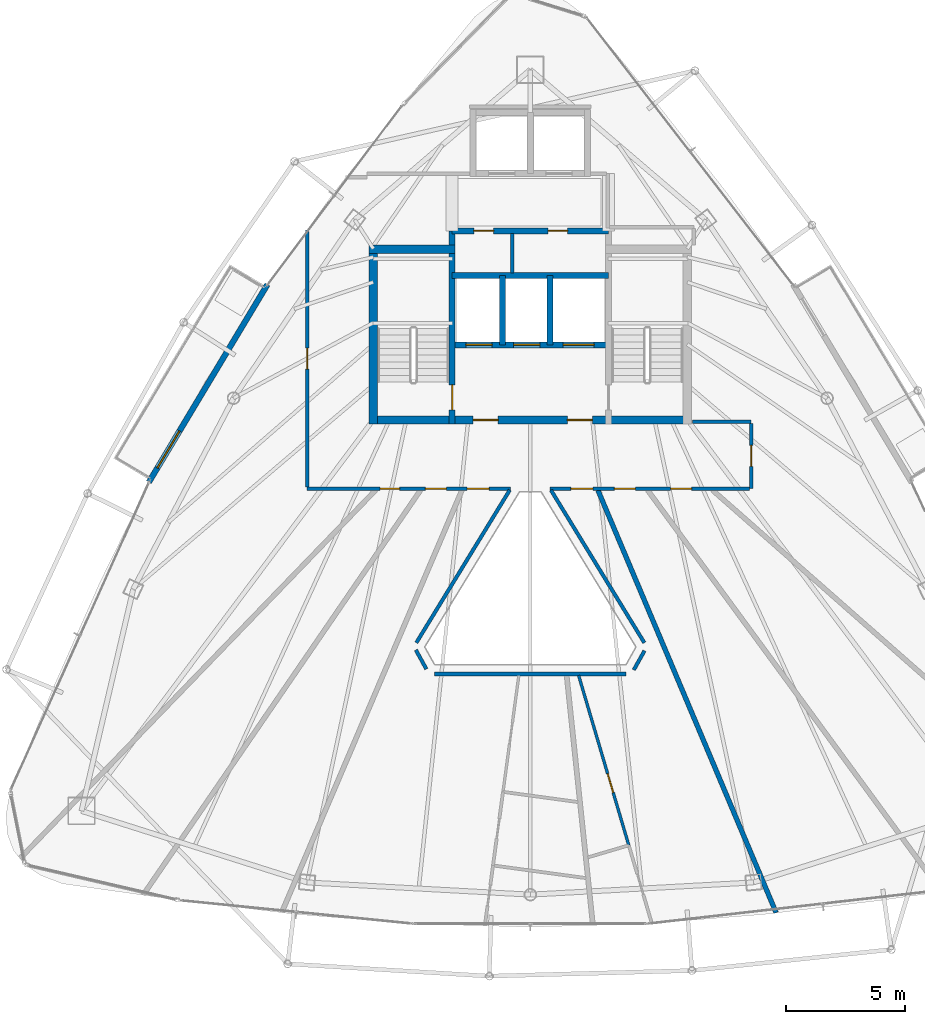
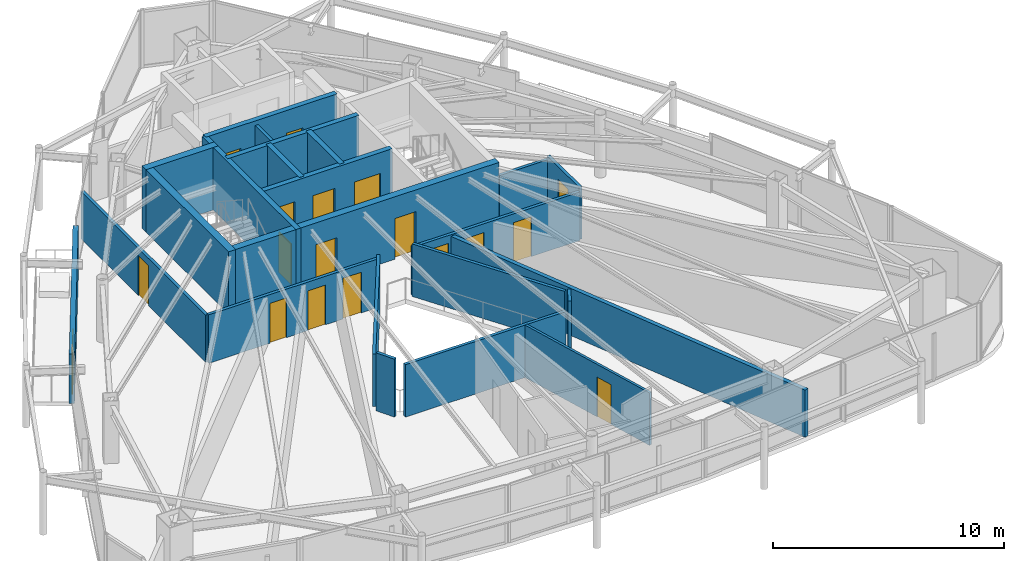
# One storey, part 25 of 28: 23 walls, 18 doors, 18 openings.
"""IFC4 building model written with IfcOpenShell, lengths in metres."""

from ifc_helpers import new_model, si_unit, direction, frame, frame_2d, origin, place, context, subcontext, project, spatial, rectangle, extrude, material, layer, layer_set, type_object, element, fill, save


model = new_model("IFC4")

# Units and contexts
model_context = context("Model", 3, precision=1e-05, world=origin(), true_north=direction((0.0, 1.0)))
body_context = subcontext(model_context, "Body", "Model", "MODEL_VIEW")
ifc_project = project(units=[si_unit("LENGTHUNIT", "METRE"), si_unit("AREAUNIT", "SQUARE_METRE"), si_unit("VOLUMEUNIT", "CUBIC_METRE"), si_unit("PLANEANGLEUNIT", "RADIAN"), si_unit("MASSUNIT", "GRAM", prefix="KILO")], contexts=[model_context])

# Site, building, storey
site_placement = place(None, origin())
site = spatial("IfcSite", under=ifc_project, at=site_placement, CompositionType="ELEMENT")
building_placement = place(site_placement, origin())
building = spatial("IfcBuilding", under=site, at=building_placement, Name="Orvanel Arch Residences", CompositionType="ELEMENT")
storey_placement = place(building_placement, frame((0.0, 0.0, 260.14990234375)))
storey = spatial("IfcBuildingStorey", under=building, at=storey_placement, Name="L74", CompositionType="ELEMENT", Elevation=260.14990234375)

# Wall, opening, door
ifc_material_1 = material(Name="Precast concrete N50 (50 MPa)", Category="concrete")
ifc_layer_1 = layer(ifc_material_1, 0.239990234375)
ifc_layer_set_1 = layer_set([ifc_layer_1], Name="Precast concrete N50 (50 MPa)")
wall_type_1 = type_object("IfcWallType", Name="EW-BAL-240", PredefinedType="SOLIDWALL", material=ifc_layer_set_1)
wall_1_placement = place(storey_placement, frame((21.988037109375, 32.405029296875, 0.0), z_axis=(0.0, 0.0, 1.0), x_axis=(-0.514361929684, -0.857573206958, 0.0)))
wall_1 = element("IfcWall", 1, at=wall_1_placement, inside=storey, type_object=wall_type_1, Name="L74 Balcony Threshold Wall Face 1", PredefinedType="SOLIDWALL", context=body_context, shape_type="SweptSolid", body=[
    extrude(rectangle(XDim=9.65869140625, YDim=0.239990234375, at=frame_2d((4.829345703125, 0.0))), origin(), (0.0, 0.0, 1.0), 2.6240234375),
])
opening_1_placement = place(wall_1_placement, frame((7.162109375, 0.0, 0.0)))
opening_1 = element("IfcOpeningElement", 2, at=opening_1_placement, cuts=wall_1, Name="Opening DB-180", PredefinedType="OPENING", context=body_context, shape_type="SweptSolid", body=[
    extrude(rectangle(XDim=1.800048828125, YDim=2.199951171875, at=frame_2d((0.89990234375, 1.10009765625))), frame((0.0, 0.1298828125, 0.0), z_axis=(0.0, -1.0, 0.0), x_axis=(1.0, 0.0, 0.0)), (0.0, 0.0, 1.0), 0.260009765625),
])
ifc_material_2 = material(Name="Bronze-anodised aluminium AA6063-T6", Category="aluminium")
door_type_1 = type_object("IfcDoorType", Name="DR-BAL-1800", OperationType="NOTDEFINED", PredefinedType="DOOR", material=ifc_material_2)
door_1_placement = place(opening_1_placement, origin())
door_1 = element("IfcDoor", 3, at=door_1_placement, inside=storey, type_object=door_type_1, Name="DR-L74-BAL-F1 L74 Planted Balcony Access Door Face 1", OperationType="SINGLE_SWING_LEFT", OverallHeight=2.199951171875, OverallWidth=1.800048828125, PredefinedType="DOOR", context=body_context, shape_type="SweptSolid", body=[
    extrude(rectangle(XDim=1.800048828125, YDim=2.199951171875, at=frame_2d((0.89990234375, 1.10009765625))), frame((0.0, 0.02490234375, 0.0), z_axis=(0.0, -1.0, 0.0), x_axis=(1.0, 0.0, 0.0)), (0.0, 0.0, 1.0), 0.050048828125),
])
fill(opening_1, door_1)

ifc_material_3 = material(Name="Concrete N50 (50 MPa)", Category="concrete")
ifc_layer_2 = layer(ifc_material_3, 0.25)
ifc_layer_set_2 = layer_set([ifc_layer_2], Name="Concrete N50 (50 MPa)")
wall_type_2 = type_object("IfcWallType", Name="SW-CORE-250", PredefinedType="SHEAR", material=ifc_layer_set_2)
wall_2_placement = place(storey_placement, frame((29.72509765625, 26.550048828125, 0.0), z_axis=(0.0, 0.0, 1.0), x_axis=(0.0, 1.0, 0.0)))
wall_2 = element("IfcWall", 4, at=wall_2_placement, inside=storey, type_object=wall_type_2, Name="L74 West Inner Core Spine Shear Wall", PredefinedType="SHEAR", context=body_context, shape_type="SweptSolid", body=[
    extrude(rectangle(XDim=8.099853515625, YDim=0.25, at=frame_2d((4.0498046875, 0.0))), origin(), (0.0, 0.0, 1.0), 3.300048828125),
])
opening_2_placement = place(wall_2_placement, frame((0.60009765625, 0.0, 0.0)))
opening_2 = element("IfcOpeningElement", 5, at=opening_2_placement, cuts=wall_2, Name="Opening DF-120", PredefinedType="OPENING", context=body_context, shape_type="SweptSolid", body=[
    extrude(rectangle(XDim=1.050048828125, YDim=2.14990234375, at=frame_2d((0.52490234375, 1.074951171875))), frame((0.0, 0.135009765625, 0.0), z_axis=(0.0, -1.0, 0.0), x_axis=(1.0, 0.0, 0.0)), (0.0, 0.0, 1.0), 0.27001953125),
])
ifc_material_4 = material(Name="Galvanised steel fire-resisting door assembly", Category="steel")
door_type_2 = type_object("IfcDoorType", Name="DR-FD120-1050", OperationType="NOTDEFINED", PredefinedType="DOOR", material=ifc_material_4)
door_2_placement = place(opening_2_placement, origin())
door_2 = element("IfcDoor", 6, at=door_2_placement, inside=storey, type_object=door_type_2, Name="DR-L74-ST1 L74 Stair 1 Fire Door", OperationType="SINGLE_SWING_LEFT", OverallHeight=2.14990234375, OverallWidth=1.050048828125, PredefinedType="DOOR", context=body_context, shape_type="SweptSolid", body=[
    extrude(rectangle(XDim=1.050048828125, YDim=2.14990234375, at=frame_2d((0.52490234375, 1.074951171875))), frame((0.0, 0.02490234375, 0.0), z_axis=(0.0, -1.0, 0.0), x_axis=(1.0, 0.0, 0.0)), (0.0, 0.0, 1.0), 0.050048828125),
])
fill(opening_2, door_2)

# Wall, openings, doors
wall_3_placement = place(storey_placement, frame((36.27490234375, 29.875, 0.0), z_axis=(0.0, 0.0, 1.0), x_axis=(-1.0, 0.0, 0.0)))
wall_3 = element("IfcWall", 7, at=wall_3_placement, inside=storey, type_object=wall_type_2, Name="L74 Emergency Lift Front Core Shear Wall", PredefinedType="SHEAR", context=body_context, shape_type="SweptSolid", body=[
    extrude(rectangle(XDim=6.5498046875, YDim=0.25, at=frame_2d((3.27490234375, 0.0))), origin(), (0.0, 0.0, 1.0), 3.300048828125),
])
opening_3_placement = place(wall_3_placement, frame((4.875, 0.0, 0.0)))
opening_3 = element("IfcOpeningElement", 8, at=opening_3_placement, cuts=wall_3, Name="Opening LD-110", PredefinedType="OPENING", context=body_context, shape_type="SweptSolid", body=[
    extrude(rectangle(XDim=1.10009765625, YDim=2.199951171875, at=frame_2d((0.550048828125, 1.10009765625))), frame((0.0, 0.135009765625, 0.0), z_axis=(0.0, -1.0, 0.0), x_axis=(1.0, 0.0, 0.0)), (0.0, 0.0, 1.0), 0.27001953125),
])
opening_4_placement = place(wall_3_placement, frame((2.875, 0.0, 0.0)))
opening_4 = element("IfcOpeningElement", 9, at=opening_4_placement, cuts=wall_3, Name="Opening LD-110", PredefinedType="OPENING", context=body_context, shape_type="SweptSolid", body=[
    extrude(rectangle(XDim=1.10009765625, YDim=2.199951171875, at=frame_2d((0.550048828125, 1.10009765625))), frame((0.0, 0.135009765625, 0.0), z_axis=(0.0, -1.0, 0.0), x_axis=(1.0, 0.0, 0.0)), (0.0, 0.0, 1.0), 0.27001953125),
])
opening_5_placement = place(wall_3_placement, frame((0.60009765625, 0.0, 0.0)))
opening_5 = element("IfcOpeningElement", 10, at=opening_5_placement, cuts=wall_3, Name="Opening LD-130", PredefinedType="OPENING", context=body_context, shape_type="SweptSolid", body=[
    extrude(rectangle(XDim=1.300048828125, YDim=2.199951171875, at=frame_2d((0.64990234375, 1.10009765625))), frame((0.0, 0.135009765625, 0.0), z_axis=(0.0, -1.0, 0.0), x_axis=(1.0, 0.0, 0.0)), (0.0, 0.0, 1.0), 0.27001953125),
])
door_type_3 = type_object("IfcDoorType", Name="DR-LFT-1100", OperationType="NOTDEFINED", PredefinedType="DOOR", material=ifc_material_4)
door_3_placement = place(opening_3_placement, origin())
door_3 = element("IfcDoor", 11, at=door_3_placement, inside=storey, type_object=door_type_3, Name="LD-F1-L74 L74 Lift F1 Sliding Landing Door", OperationType="DOUBLE_DOOR_SLIDING", OverallHeight=2.199951171875, OverallWidth=1.10009765625, PredefinedType="DOOR", context=body_context, shape_type="SweptSolid", body=[
    extrude(rectangle(XDim=1.10009765625, YDim=2.199951171875, at=frame_2d((0.550048828125, 1.10009765625))), frame((0.0, 0.02490234375, 0.0), z_axis=(0.0, -1.0, 0.0), x_axis=(1.0, 0.0, 0.0)), (0.0, 0.0, 1.0), 0.050048828125),
])
fill(opening_3, door_3)
door_4_placement = place(opening_4_placement, origin())
door_4 = element("IfcDoor", 12, at=door_4_placement, inside=storey, type_object=door_type_3, Name="LD-F2-L74 L74 Lift F2 Sliding Landing Door", OperationType="DOUBLE_DOOR_SLIDING", OverallHeight=2.199951171875, OverallWidth=1.10009765625, PredefinedType="DOOR", context=body_context, shape_type="SweptSolid", body=[
    extrude(rectangle(XDim=1.10009765625, YDim=2.199951171875, at=frame_2d((0.550048828125, 1.10009765625))), frame((0.0, 0.02490234375, 0.0), z_axis=(0.0, -1.0, 0.0), x_axis=(1.0, 0.0, 0.0)), (0.0, 0.0, 1.0), 0.050048828125),
])
fill(opening_4, door_4)
door_type_4 = type_object("IfcDoorType", Name="DR-LFT-1300", OperationType="NOTDEFINED", PredefinedType="DOOR", material=ifc_material_4)
door_5_placement = place(opening_5_placement, origin())
door_5 = element("IfcDoor", 13, at=door_5_placement, inside=storey, type_object=door_type_4, Name="LD-G1-L74 L74 Lift G1 Sliding Landing Door", OperationType="DOUBLE_DOOR_SLIDING", OverallHeight=2.199951171875, OverallWidth=1.300048828125, PredefinedType="DOOR", context=body_context, shape_type="SweptSolid", body=[
    extrude(rectangle(XDim=1.300048828125, YDim=2.199951171875, at=frame_2d((0.64990234375, 1.10009765625))), frame((0.0, 0.02490234375, 0.0), z_axis=(0.0, -1.0, 0.0), x_axis=(1.0, 0.0, 0.0)), (0.0, 0.0, 1.0), 0.050048828125),
])
fill(opening_5, door_5)

# Walls
wall_4_placement = place(storey_placement, frame((29.72509765625, 32.77490234375, 0.0), z_axis=(0.0, 0.0, 1.0), x_axis=(1.0, 0.0, 0.0)))
element("IfcWall", 14, at=wall_4_placement, inside=storey, type_object=wall_type_2, Name="L74 Emergency Lift Back Core Shear Wall", PredefinedType="SHEAR", context=body_context, shape_type="SweptSolid", body=[
    extrude(rectangle(XDim=6.5498046875, YDim=0.25, at=frame_2d((3.27490234375, 0.0))), origin(), (0.0, 0.0, 1.0), 3.300048828125),
])
for number, where, z_axis, x_axis, name in (
    (15, (31.824951171875, 29.875, 0.0), (0.0, 0.0, 1.0), (0.0, 1.0, 0.0), "L74 Emergency Lift Inter-Shaft Wall F12"),
    (16, (33.824951171875, 29.875, 0.0), (0.0, 0.0, 1.0), (0.0, 1.0, 0.0), "L74 Emergency Lift Inter-Shaft Wall F2G"),
):
    element("IfcWall", number, at=place(storey_placement, frame(where, z_axis=z_axis, x_axis=x_axis)), inside=storey, type_object=wall_type_2, Name=name, PredefinedType="SHEAR", context=body_context, shape_type="SweptSolid", body=[
        extrude(rectangle(XDim=2.89990234375, YDim=0.25, at=frame_2d((1.449951171875, 0.0))), origin(), (0.0, 0.0, 1.0), 3.300048828125),
    ])

# Wall, openings, doors
wall_5_placement = place(storey_placement, frame((29.72509765625, 34.64990234375, 0.0), z_axis=(0.0, 0.0, 1.0), x_axis=(1.0, 0.0, 0.0)))
wall_5 = element("IfcWall", 17, at=wall_5_placement, inside=storey, type_object=wall_type_2, Name="L74 Core Service Band North Shear Wall", PredefinedType="SHEAR", context=body_context, shape_type="SweptSolid", body=[
    extrude(rectangle(XDim=6.5498046875, YDim=0.25, at=frame_2d((3.27490234375, 0.0))), origin(), (0.0, 0.0, 1.0), 3.300048828125),
])
opening_6_placement = place(wall_5_placement, frame((0.9150390625, 0.0, 0.0)))
opening_6 = element("IfcOpeningElement", 18, at=opening_6_placement, cuts=wall_5, Name="Opening DS-082", PredefinedType="OPENING", context=body_context, shape_type="SweptSolid", body=[
    extrude(rectangle(XDim=0.820068359375, YDim=2.10009765625, at=frame_2d((0.41015625, 1.050048828125))), frame((0.0, 0.135009765625, 0.0), z_axis=(0.0, -1.0, 0.0), x_axis=(1.0, 0.0, 0.0)), (0.0, 0.0, 1.0), 0.27001953125),
])
opening_7_placement = place(wall_5_placement, frame((4.014892578125, 0.0, 0.0)))
opening_7 = element("IfcOpeningElement", 19, at=opening_7_placement, cuts=wall_5, Name="Opening DW-082", PredefinedType="OPENING", context=body_context, shape_type="SweptSolid", body=[
    extrude(rectangle(XDim=0.820068359375, YDim=2.10009765625, at=frame_2d((0.41015625, 1.050048828125))), frame((0.0, 0.135009765625, 0.0), z_axis=(0.0, -1.0, 0.0), x_axis=(1.0, 0.0, 0.0)), (0.0, 0.0, 1.0), 0.27001953125),
])
door_type_5 = type_object("IfcDoorType", Name="DR-SVC-820", OperationType="NOTDEFINED", PredefinedType="DOOR", material=ifc_material_4)
door_6_placement = place(opening_6_placement, origin())
door_6 = element("IfcDoor", 20, at=door_6_placement, inside=storey, type_object=door_type_5, Name="DR-L74-CSVC-1 L74 Floor Cleaner's Store Door", OperationType="SINGLE_SWING_LEFT", OverallHeight=2.10009765625, OverallWidth=0.820068359375, PredefinedType="DOOR", context=body_context, shape_type="SweptSolid", body=[
    extrude(rectangle(XDim=0.820068359375, YDim=2.10009765625, at=frame_2d((0.41015625, 1.050048828125))), frame((0.0, 0.02490234375, 0.0), z_axis=(0.0, -1.0, 0.0), x_axis=(1.0, 0.0, 0.0)), (0.0, 0.0, 1.0), 0.050048828125),
])
fill(opening_6, door_6)
ifc_material_5 = material(Name="Solid-core European oak veneer fire door leaf", Category="wood")
door_type_6 = type_object("IfcDoorType", Name="DR-WET-820", OperationType="NOTDEFINED", PredefinedType="DOOR", material=ifc_material_5)
door_7_placement = place(opening_7_placement, origin())
door_7 = element("IfcDoor", 21, at=door_7_placement, inside=storey, type_object=door_type_6, Name="DR-L74-CSVC-2 L74 Core Accessible WC Door", OperationType="SINGLE_SWING_LEFT", OverallHeight=2.10009765625, OverallWidth=0.820068359375, PredefinedType="DOOR", context=body_context, shape_type="SweptSolid", body=[
    extrude(rectangle(XDim=0.820068359375, YDim=2.10009765625, at=frame_2d((0.41015625, 1.050048828125))), frame((0.0, 0.02490234375, 0.0), z_axis=(0.0, -1.0, 0.0), x_axis=(1.0, 0.0, 0.0)), (0.0, 0.0, 1.0), 0.050048828125),
])
fill(opening_7, door_7)

ifc_layer_3 = layer(ifc_material_3, 0.35009765625)
ifc_layer_set_3 = layer_set([ifc_layer_3], Name="Concrete N50 (50 MPa)")
wall_type_3 = type_object("IfcWallType", Name="SW-CORE-350", PredefinedType="SHEAR", material=ifc_layer_set_3)
wall_6_placement = place(storey_placement, frame((26.25, 26.72509765625, 0.0), z_axis=(0.0, 0.0, 1.0), x_axis=(1.0, 0.0, 0.0)))
wall_6 = element("IfcWall", 22, at=wall_6_placement, inside=storey, type_object=wall_type_3, Name="L74 South Core Shear Wall", PredefinedType="SHEAR", context=body_context, shape_type="SweptSolid", body=[
    extrude(rectangle(XDim=13.5, YDim=0.35009765625, at=frame_2d((6.75, 0.0))), origin(), (0.0, 0.0, 1.0), 3.300048828125),
])
opening_8_placement = place(wall_6_placement, frame((4.35009765625, 0.0, 0.0)))
opening_8 = element("IfcOpeningElement", 23, at=opening_8_placement, cuts=wall_6, Name="Opening DF-060", PredefinedType="OPENING", context=body_context, shape_type="SweptSolid", body=[
    extrude(rectangle(XDim=1.050048828125, YDim=2.14990234375, at=frame_2d((0.52490234375, 1.074951171875))), frame((0.0, 0.18505859375, 0.0), z_axis=(0.0, -1.0, 0.0), x_axis=(1.0, 0.0, 0.0)), (0.0, 0.0, 1.0), 0.3701171875),
])
opening_9_placement = place(wall_6_placement, frame((8.300048828125, 0.0, 0.0)))
opening_9 = element("IfcOpeningElement", 24, at=opening_9_placement, cuts=wall_6, Name="Opening DF-060", PredefinedType="OPENING", context=body_context, shape_type="SweptSolid", body=[
    extrude(rectangle(XDim=1.050048828125, YDim=2.14990234375, at=frame_2d((0.52490234375, 1.074951171875))), frame((0.0, 0.18505859375, 0.0), z_axis=(0.0, -1.0, 0.0), x_axis=(1.0, 0.0, 0.0)), (0.0, 0.0, 1.0), 0.3701171875),
])
door_type_7 = type_object("IfcDoorType", Name="DR-FD60-1050", OperationType="NOTDEFINED", PredefinedType="DOOR", material=ifc_material_4)
door_8_placement = place(opening_8_placement, origin())
door_8 = element("IfcDoor", 25, at=door_8_placement, inside=storey, type_object=door_type_7, Name="DR-L74-FFL-W L74 West Smoke Lobby Door", OperationType="SINGLE_SWING_LEFT", OverallHeight=2.14990234375, OverallWidth=1.050048828125, PredefinedType="DOOR", context=body_context, shape_type="SweptSolid", body=[
    extrude(rectangle(XDim=1.050048828125, YDim=2.14990234375, at=frame_2d((0.52490234375, 1.074951171875))), frame((0.0, 0.02490234375, 0.0), z_axis=(0.0, -1.0, 0.0), x_axis=(1.0, 0.0, 0.0)), (0.0, 0.0, 1.0), 0.050048828125),
])
fill(opening_8, door_8)
door_9_placement = place(opening_9_placement, origin())
door_9 = element("IfcDoor", 26, at=door_9_placement, inside=storey, type_object=door_type_7, Name="DR-L74-FFL-E L74 East Smoke Lobby Door", OperationType="SINGLE_SWING_RIGHT", OverallHeight=2.14990234375, OverallWidth=1.050048828125, PredefinedType="DOOR", context=body_context, shape_type="SweptSolid", body=[
    extrude(rectangle(XDim=1.050048828125, YDim=2.14990234375, at=frame_2d((0.52490234375, 1.074951171875))), frame((0.0, 0.02490234375, 0.0), z_axis=(0.0, -1.0, 0.0), x_axis=(1.0, 0.0, 0.0)), (0.0, 0.0, 1.0), 0.050048828125),
])
fill(opening_9, door_9)

# Walls
wall_7_placement = place(storey_placement, frame((26.425048828125, 26.550048828125, 0.0), z_axis=(0.0, 0.0, 1.0), x_axis=(0.0, 1.0, 0.0)))
element("IfcWall", 27, at=wall_7_placement, inside=storey, type_object=wall_type_3, Name="L74 West Stair Shear Wall", PredefinedType="SHEAR", context=body_context, shape_type="SweptSolid", body=[
    extrude(rectangle(XDim=7.5, YDim=0.35009765625, at=frame_2d((3.75, 0.0))), origin(), (0.0, 0.0, 1.0), 3.300048828125),
])
wall_8_placement = place(storey_placement, frame((26.25, 33.875, 0.0), z_axis=(0.0, 0.0, 1.0), x_axis=(1.0, 0.0, 0.0)))
element("IfcWall", 28, at=wall_8_placement, inside=storey, type_object=wall_type_3, Name="L74 West Stair North Shear Wall", PredefinedType="SHEAR", context=body_context, shape_type="SweptSolid", body=[
    extrude(rectangle(XDim=3.60009765625, YDim=0.35009765625, at=frame_2d((1.800048828125, 0.0))), origin(), (0.0, 0.0, 1.0), 3.300048828125),
])

# Wall, openings, doors
ifc_material_6 = material(Name="Fire-rated plasterboard lined steel stud partition", Category="steel")
ifc_layer_4 = layer(ifc_material_6, 0.14990234375)
ifc_layer_set_4 = layer_set([ifc_layer_4], Name="Fire-rated plasterboard lined steel stud partition")
wall_type_4 = type_object("IfcWallType", Name="W-COR-150", PredefinedType="PARTITIONING", material=ifc_layer_set_4)
wall_9_placement = place(storey_placement, frame((32.16796875, 23.85009765625, 0.0), z_axis=(0.0, 0.0, 1.0), x_axis=(-1.0, 0.0, 0.0)))
wall_9 = element("IfcWall", 29, at=wall_9_placement, inside=storey, type_object=wall_type_4, Name="L74 Corridor Fire-Rated Partition", PredefinedType="PARTITIONING", context=body_context, shape_type="SweptSolid", body=[
    extrude(rectangle(XDim=8.51806640625, YDim=0.14990234375, at=frame_2d((4.259033203125, 0.0))), origin(), (0.0, 0.0, 1.0), 2.565185546875),
])
opening_10_placement = place(wall_9_placement, frame((0.89404296875, 0.0, 0.0)))
opening_10 = element("IfcOpeningElement", 30, at=opening_10_placement, cuts=wall_9, Name="Opening DA-092", PredefinedType="OPENING", context=body_context, shape_type="SweptSolid", body=[
    extrude(rectangle(XDim=0.919921875, YDim=2.14990234375, at=frame_2d((0.4599609375, 1.074951171875))), frame((0.0, 0.0849609375, 0.0), z_axis=(0.0, -1.0, 0.0), x_axis=(1.0, 0.0, 0.0)), (0.0, 0.0, 1.0), 0.169921875),
])
opening_11_placement = place(wall_9_placement, frame((2.68310546875, 0.0, 0.0)))
opening_11 = element("IfcOpeningElement", 31, at=opening_11_placement, cuts=wall_9, Name="Opening DI-088", PredefinedType="OPENING", context=body_context, shape_type="SweptSolid", body=[
    extrude(rectangle(XDim=0.8798828125, YDim=2.10009765625, at=frame_2d((0.43994140625, 1.050048828125))), frame((0.0, 0.0849609375, 0.0), z_axis=(0.0, -1.0, 0.0), x_axis=(1.0, 0.0, 0.0)), (0.0, 0.0, 1.0), 0.169921875),
])
opening_12_placement = place(wall_9_placement, frame((4.637939453125, 0.0, 0.0)))
opening_12 = element("IfcOpeningElement", 32, at=opening_12_placement, cuts=wall_9, Name="Opening DW-082", PredefinedType="OPENING", context=body_context, shape_type="SweptSolid", body=[
    extrude(rectangle(XDim=0.820068359375, YDim=2.10009765625, at=frame_2d((0.41015625, 1.050048828125))), frame((0.0, 0.0849609375, 0.0), z_axis=(0.0, -1.0, 0.0), x_axis=(1.0, 0.0, 0.0)), (0.0, 0.0, 1.0), 0.169921875),
])
door_type_8 = type_object("IfcDoorType", Name="DR-APT-920", OperationType="NOTDEFINED", PredefinedType="DOOR", material=ifc_material_5)
door_10_placement = place(opening_10_placement, origin())
door_10 = element("IfcDoor", 33, at=door_10_placement, inside=storey, type_object=door_type_8, Name="DR-L74-A-ENT L74 Studio A Entrance Door", OperationType="SINGLE_SWING_RIGHT", OverallHeight=2.14990234375, OverallWidth=0.919921875, PredefinedType="DOOR", context=body_context, shape_type="SweptSolid", body=[
    extrude(rectangle(XDim=0.919921875, YDim=2.14990234375, at=frame_2d((0.4599609375, 1.074951171875))), frame((0.0, 0.02490234375, 0.0), z_axis=(0.0, -1.0, 0.0), x_axis=(1.0, 0.0, 0.0)), (0.0, 0.0, 1.0), 0.050048828125),
])
fill(opening_10, door_10)
door_type_9 = type_object("IfcDoorType", Name="DR-INT-880", OperationType="NOTDEFINED", PredefinedType="DOOR", material=ifc_material_5)
door_11_placement = place(opening_11_placement, origin())
door_11 = element("IfcDoor", 34, at=door_11_placement, inside=storey, type_object=door_type_9, Name="DR-L74-SHRD-FB5 L74 Co-Working Study Office E Door", OperationType="SINGLE_SWING_LEFT", OverallHeight=2.10009765625, OverallWidth=0.8798828125, PredefinedType="DOOR", context=body_context, shape_type="SweptSolid", body=[
    extrude(rectangle(XDim=0.8798828125, YDim=2.10009765625, at=frame_2d((0.43994140625, 1.050048828125))), frame((0.0, 0.02490234375, 0.0), z_axis=(0.0, -1.0, 0.0), x_axis=(1.0, 0.0, 0.0)), (0.0, 0.0, 1.0), 0.050048828125),
])
fill(opening_11, door_11)
door_12_placement = place(opening_12_placement, origin())
door_12 = element("IfcDoor", 35, at=door_12_placement, inside=storey, type_object=door_type_6, Name="DR-L74-SHRD-FB6 L74 Co-Working Study Office F Door", OperationType="SINGLE_SWING_LEFT", OverallHeight=2.10009765625, OverallWidth=0.820068359375, PredefinedType="DOOR", context=body_context, shape_type="SweptSolid", body=[
    extrude(rectangle(XDim=0.820068359375, YDim=2.10009765625, at=frame_2d((0.41015625, 1.050048828125))), frame((0.0, 0.02490234375, 0.0), z_axis=(0.0, -1.0, 0.0), x_axis=(1.0, 0.0, 0.0)), (0.0, 0.0, 1.0), 0.050048828125),
])
fill(opening_12, door_12)

# Wall, opening, door
wall_10_placement = place(storey_placement, frame((23.64990234375, 23.909912109375, 0.0), z_axis=(0.0, 0.0, 1.0), x_axis=(0.0, 1.0, 0.0)))
wall_10 = element("IfcWall", 36, at=wall_10_placement, inside=storey, type_object=wall_type_4, Name="L74 Corridor Fire-Rated Partition", PredefinedType="PARTITIONING", context=body_context, shape_type="SweptSolid", body=[
    extrude(rectangle(XDim=10.7841796875, YDim=0.14990234375, at=frame_2d((5.39208984375, 0.0))), origin(), (0.0, 0.0, 1.0), 2.4921875),
])
opening_13_placement = place(wall_10_placement, frame((4.951904296875, 0.0, 0.0)))
opening_13 = element("IfcOpeningElement", 37, at=opening_13_placement, cuts=wall_10, Name="Opening DI-088", PredefinedType="OPENING", context=body_context, shape_type="SweptSolid", body=[
    extrude(rectangle(XDim=0.8798828125, YDim=2.10009765625, at=frame_2d((0.43994140625, 1.050048828125))), frame((0.0, 0.0849609375, 0.0), z_axis=(0.0, -1.0, 0.0), x_axis=(1.0, 0.0, 0.0)), (0.0, 0.0, 1.0), 0.169921875),
])
door_13_placement = place(opening_13_placement, origin())
door_13 = element("IfcDoor", 38, at=door_13_placement, inside=storey, type_object=door_type_9, Name="DR-L74-RET74-2 L74 Boutique Craft Showroom 2 Door", OperationType="SINGLE_SWING_LEFT", OverallHeight=2.10009765625, OverallWidth=0.8798828125, PredefinedType="DOOR", context=body_context, shape_type="SweptSolid", body=[
    extrude(rectangle(XDim=0.8798828125, YDim=2.10009765625, at=frame_2d((0.43994140625, 1.050048828125))), frame((0.0, 0.02490234375, 0.0), z_axis=(0.0, -1.0, 0.0), x_axis=(1.0, 0.0, 0.0)), (0.0, 0.0, 1.0), 0.050048828125),
])
fill(opening_13, door_13)

# Wall
wall_11_placement = place(storey_placement, frame((39.7900390625, 26.64990234375, 0.0), z_axis=(0.0, 0.0, 1.0), x_axis=(1.0, 0.0, 0.0)))
element("IfcWall", 39, at=wall_11_placement, inside=storey, type_object=wall_type_4, Name="L74 Corridor Fire-Rated Partition", PredefinedType="PARTITIONING", context=body_context, shape_type="SweptSolid", body=[
    extrude(rectangle(XDim=2.4599609375, YDim=0.14990234375, at=frame_2d((1.22998046875, 0.0))), origin(), (0.0, 0.0, 1.0), 2.565185546875),
])

# Wall, opening, door
wall_12_placement = place(storey_placement, frame((42.25, 26.590087890625, 0.0), z_axis=(0.0, 0.0, 1.0), x_axis=(0.0, -1.0, 0.0)))
wall_12 = element("IfcWall", 40, at=wall_12_placement, inside=storey, type_object=wall_type_4, Name="L74 Corridor Fire-Rated Partition", PredefinedType="PARTITIONING", context=body_context, shape_type="SweptSolid", body=[
    extrude(rectangle(XDim=2.739990234375, YDim=0.14990234375, at=frame_2d((1.3701171875, 0.0))), origin(), (0.0, 0.0, 1.0), 2.773193359375),
])
opening_14_placement = place(wall_12_placement, frame((0.929931640625, 0.0, 0.0)))
opening_14 = element("IfcOpeningElement", 41, at=opening_14_placement, cuts=wall_12, Name="Opening DI-088", PredefinedType="OPENING", context=body_context, shape_type="SweptSolid", body=[
    extrude(rectangle(XDim=0.8798828125, YDim=2.10009765625, at=frame_2d((0.43994140625, 1.050048828125))), frame((0.0, 0.0849609375, 0.0), z_axis=(0.0, -1.0, 0.0), x_axis=(1.0, 0.0, 0.0)), (0.0, 0.0, 1.0), 0.169921875),
])
door_14_placement = place(opening_14_placement, origin())
door_14 = element("IfcDoor", 42, at=door_14_placement, inside=storey, type_object=door_type_9, Name="DR-L74-RET74-1 L74 Boutique Craft Showroom 1 Door", OperationType="SINGLE_SWING_LEFT", OverallHeight=2.10009765625, OverallWidth=0.8798828125, PredefinedType="DOOR", context=body_context, shape_type="SweptSolid", body=[
    extrude(rectangle(XDim=0.8798828125, YDim=2.10009765625, at=frame_2d((0.43994140625, 1.050048828125))), frame((0.0, 0.02490234375, 0.0), z_axis=(0.0, -1.0, 0.0), x_axis=(1.0, 0.0, 0.0)), (0.0, 0.0, 1.0), 0.050048828125),
])
fill(opening_14, door_14)

# Wall, openings, doors
wall_13_placement = place(storey_placement, frame((42.18994140625, 23.85009765625, 0.0), z_axis=(0.0, 0.0, 1.0), x_axis=(-1.0, 0.0, 0.0)))
wall_13 = element("IfcWall", 43, at=wall_13_placement, inside=storey, type_object=wall_type_4, Name="L74 Corridor Fire-Rated Partition", PredefinedType="PARTITIONING", context=body_context, shape_type="SweptSolid", body=[
    extrude(rectangle(XDim=8.35791015625, YDim=0.14990234375, at=frame_2d((4.178955078125, 0.0))), origin(), (0.0, 0.0, 1.0), 2.565185546875),
])
opening_15_placement = place(wall_13_placement, frame((2.428955078125, 0.0, 0.0)))
opening_15 = element("IfcOpeningElement", 44, at=opening_15_placement, cuts=wall_13, Name="Opening DI-088", PredefinedType="OPENING", context=body_context, shape_type="SweptSolid", body=[
    extrude(rectangle(XDim=0.8798828125, YDim=2.10009765625, at=frame_2d((0.43994140625, 1.050048828125))), frame((0.0, 0.0849609375, 0.0), z_axis=(0.0, -1.0, 0.0), x_axis=(1.0, 0.0, 0.0)), (0.0, 0.0, 1.0), 0.169921875),
])
opening_16_placement = place(wall_13_placement, frame((4.7880859375, 0.0, 0.0)))
opening_16 = element("IfcOpeningElement", 45, at=opening_16_placement, cuts=wall_13, Name="Opening DI-088", PredefinedType="OPENING", context=body_context, shape_type="SweptSolid", body=[
    extrude(rectangle(XDim=0.8798828125, YDim=2.10009765625, at=frame_2d((0.43994140625, 1.050048828125))), frame((0.0, 0.0849609375, 0.0), z_axis=(0.0, -1.0, 0.0), x_axis=(1.0, 0.0, 0.0)), (0.0, 0.0, 1.0), 0.169921875),
])
opening_17_placement = place(wall_13_placement, frame((6.569091796875, 0.0, 0.0)))
opening_17 = element("IfcOpeningElement", 46, at=opening_17_placement, cuts=wall_13, Name="Opening DA-092", PredefinedType="OPENING", context=body_context, shape_type="SweptSolid", body=[
    extrude(rectangle(XDim=0.919921875, YDim=2.14990234375, at=frame_2d((0.4599609375, 1.074951171875))), frame((0.0, 0.0849609375, 0.0), z_axis=(0.0, -1.0, 0.0), x_axis=(1.0, 0.0, 0.0)), (0.0, 0.0, 1.0), 0.169921875),
])
door_15_placement = place(opening_17_placement, origin())
door_15 = element("IfcDoor", 47, at=door_15_placement, inside=storey, type_object=door_type_8, Name="DR-L74-D-ENT L74 Studio D Entrance Door", OperationType="SINGLE_SWING_LEFT", OverallHeight=2.14990234375, OverallWidth=0.919921875, PredefinedType="DOOR", context=body_context, shape_type="SweptSolid", body=[
    extrude(rectangle(XDim=0.919921875, YDim=2.14990234375, at=frame_2d((0.4599609375, 1.074951171875))), frame((0.0, 0.02490234375, 0.0), z_axis=(0.0, -1.0, 0.0), x_axis=(1.0, 0.0, 0.0)), (0.0, 0.0, 1.0), 0.050048828125),
])
fill(opening_17, door_15)
door_16_placement = place(opening_15_placement, origin())
door_16 = element("IfcDoor", 48, at=door_16_placement, inside=storey, type_object=door_type_9, Name="DR-L74-SHRD-FB2 L74 Co-Working Study Office B Door", OperationType="SINGLE_SWING_LEFT", OverallHeight=2.10009765625, OverallWidth=0.8798828125, PredefinedType="DOOR", context=body_context, shape_type="SweptSolid", body=[
    extrude(rectangle(XDim=0.8798828125, YDim=2.10009765625, at=frame_2d((0.43994140625, 1.050048828125))), frame((0.0, 0.02490234375, 0.0), z_axis=(0.0, -1.0, 0.0), x_axis=(1.0, 0.0, 0.0)), (0.0, 0.0, 1.0), 0.050048828125),
])
fill(opening_15, door_16)
door_17_placement = place(opening_16_placement, origin())
door_17 = element("IfcDoor", 49, at=door_17_placement, inside=storey, type_object=door_type_9, Name="DR-L74-SHRD-FB3 L74 Co-Working Study Office C Door", OperationType="SINGLE_SWING_LEFT", OverallHeight=2.10009765625, OverallWidth=0.8798828125, PredefinedType="DOOR", context=body_context, shape_type="SweptSolid", body=[
    extrude(rectangle(XDim=0.8798828125, YDim=2.10009765625, at=frame_2d((0.43994140625, 1.050048828125))), frame((0.0, 0.02490234375, 0.0), z_axis=(0.0, -1.0, 0.0), x_axis=(1.0, 0.0, 0.0)), (0.0, 0.0, 1.0), 0.050048828125),
])
fill(opening_16, door_17)

# Walls
wall_14_placement = place(storey_placement, frame((33.863037109375, 23.7900390625, 0.0), z_axis=(0.0, 0.0, 1.0), x_axis=(0.521913594497, -0.852998358661, 0.0)))
element("IfcWall", 50, at=wall_14_placement, inside=storey, type_object=wall_type_4, Name="L74 Atrium Overlook Glazed Partition", PredefinedType="PARTITIONING", context=body_context, shape_type="SweptSolid", body=[
    extrude(rectangle(XDim=7.4970703125, YDim=0.14990234375, at=frame_2d((3.74853515625, 0.0))), origin(), (0.0, 0.0, 1.0), 2.773193359375),
])
wall_15_placement = place(storey_placement, frame((37.781982421875, 17.05908203125, 0.0), z_axis=(0.0, 0.0, 1.0), x_axis=(-0.489033415255, -0.872265050752, 0.0)))
element("IfcWall", 51, at=wall_15_placement, inside=storey, type_object=wall_type_4, Name="L74 Atrium Overlook Glazed Partition", PredefinedType="PARTITIONING", context=body_context, shape_type="SweptSolid", body=[
    extrude(rectangle(XDim=0.916015625, YDim=0.14990234375, at=frame_2d((0.4580078125, 0.0))), origin(), (0.0, 0.0, 1.0), 3.06005859375),
])
wall_16_placement = place(storey_placement, frame((37.006103515625, 16.087890625, 0.0), z_axis=(0.0, 0.0, 1.0), x_axis=(-1.0, 0.0, 0.0)))
element("IfcWall", 52, at=wall_16_placement, inside=storey, type_object=wall_type_4, Name="L74 Atrium Overlook Glazed Partition", PredefinedType="PARTITIONING", context=body_context, shape_type="SweptSolid", body=[
    extrude(rectangle(XDim=8.01220703125, YDim=0.14990234375, at=frame_2d((4.006103515625, 0.0))), origin(), (0.0, 0.0, 1.0), 2.773193359375),
])
wall_17_placement = place(storey_placement, frame((28.64599609375, 16.2919921875, 0.0), z_axis=(0.0, 0.0, 1.0), x_axis=(-0.482133469033, 0.876097778811, 0.0)))
element("IfcWall", 53, at=wall_17_placement, inside=storey, type_object=wall_type_4, Name="L74 Atrium Overlook Glazed Partition", PredefinedType="PARTITIONING", context=body_context, shape_type="SweptSolid", body=[
    extrude(rectangle(XDim=0.91650390625, YDim=0.14990234375, at=frame_2d((0.458251953125, 0.0))), origin(), (0.0, 0.0, 1.0), 3.06005859375),
])
wall_18_placement = place(storey_placement, frame((28.22412109375, 17.39501953125, 0.0), z_axis=(0.0, 0.0, 1.0), x_axis=(0.521913594497, 0.852998358661, 0.0)))
element("IfcWall", 54, at=wall_18_placement, inside=storey, type_object=wall_type_4, Name="L74 Atrium Overlook Glazed Partition", PredefinedType="PARTITIONING", context=body_context, shape_type="SweptSolid", body=[
    extrude(rectangle(XDim=7.4970703125, YDim=0.14990234375, at=frame_2d((3.74853515625, 0.0))), origin(), (0.0, 0.0, 1.0), 2.773193359375),
])
ifc_layer_5 = layer(ifc_material_6, 0.199951171875)
ifc_layer_set_5 = layer_set([ifc_layer_5], Name="Fire-rated plasterboard lined steel stud partition")
wall_type_5 = type_object("IfcWallType", Name="W-DEM-200", PredefinedType="PARTITIONING", material=ifc_layer_set_5)
wall_19_placement = place(storey_placement, frame((43.2958984375, 6.090087890625, 0.0), z_axis=(0.0, 0.0, 1.0), x_axis=(-0.388640997534, 0.921389263578, 0.0)))
element("IfcWall", 55, at=wall_19_placement, inside=storey, type_object=wall_type_5, Name="L74 Inter-Tenancy Acoustic Demising Wall", PredefinedType="PARTITIONING", context=body_context, shape_type="SweptSolid", body=[
    extrude(rectangle(XDim=19.2099609375, YDim=0.199951171875, at=frame_2d((9.60498046875, 0.0))), origin(), (0.0, 0.0, 1.0), 2.4921875),
])
ifc_layer_6 = layer(ifc_material_6, 0.14990234375)
ifc_layer_set_6 = layer_set([ifc_layer_6], Name="Fire-rated plasterboard lined steel stud partition")
wall_type_6 = type_object("IfcWallType", Name="W-ST-150", PredefinedType="PARTITIONING", material=ifc_layer_set_6)
wall_20_placement = place(storey_placement, frame((32.25, 32.885009765625, 0.0), z_axis=(0.0, 0.0, 1.0), x_axis=(0.0, 1.0, 0.0)))
element("IfcWall", 56, at=wall_20_placement, inside=storey, type_object=wall_type_6, Name="L74 Core Service Partition 1", PredefinedType="PARTITIONING", context=body_context, shape_type="SweptSolid", body=[
    extrude(rectangle(XDim=1.655029296875, YDim=0.14990234375, at=frame_2d((0.82763671875, 0.0))), origin(), (0.0, 0.0, 1.0), 3.06005859375),
])

# Wall, opening, door
ifc_material_7 = material(Name="Acoustic plasterboard lined twin-stud partition", Category="gypsum")
ifc_layer_7 = layer(ifc_material_7, 0.1201171875)
ifc_layer_set_7 = layer_set([ifc_layer_7], Name="Acoustic plasterboard lined twin-stud partition")
wall_type_7 = type_object("IfcWallType", Name="W-WET-120", PredefinedType="PARTITIONING", material=ifc_layer_set_7)
wall_21_placement = place(storey_placement, frame((37.1240234375, 8.910888671875, 0.0), z_axis=(0.0, 0.0, 1.0), x_axis=(-0.283131577199, 0.959081075818, 0.0)))
wall_21 = element("IfcWall", 57, at=wall_21_placement, inside=storey, type_object=wall_type_7, Name="L74 Studio D Bathroom Partition", PredefinedType="PARTITIONING", context=body_context, shape_type="SweptSolid", body=[
    extrude(rectangle(XDim=7.4208984375, YDim=0.1201171875, at=frame_2d((3.71044921875, 0.0))), origin(), (0.0, 0.0, 1.0), 2.773193359375),
])
opening_18_placement = place(wall_21_placement, frame((2.306884765625, 0.0, 0.0)))
opening_18 = element("IfcOpeningElement", 58, at=opening_18_placement, cuts=wall_21, Name="Opening DW-082", PredefinedType="OPENING", context=body_context, shape_type="SweptSolid", body=[
    extrude(rectangle(XDim=0.820068359375, YDim=2.10009765625, at=frame_2d((0.41015625, 1.050048828125))), frame((0.0, 0.070068359375, 0.0), z_axis=(0.0, -1.0, 0.0), x_axis=(1.0, 0.0, 0.0)), (0.0, 0.0, 1.0), 0.14013671875),
])
door_18_placement = place(opening_18_placement, origin())
door_18 = element("IfcDoor", 59, at=door_18_placement, inside=storey, type_object=door_type_6, Name="DR-L74-D-BATH L74 Studio D Bathroom Door", OperationType="SINGLE_SWING_RIGHT", OverallHeight=2.10009765625, OverallWidth=0.820068359375, PredefinedType="DOOR", context=body_context, shape_type="SweptSolid", body=[
    extrude(rectangle(XDim=0.820068359375, YDim=2.10009765625, at=frame_2d((0.41015625, 1.050048828125))), frame((0.0, 0.02490234375, 0.0), z_axis=(0.0, -1.0, 0.0), x_axis=(1.0, 0.0, 0.0)), (0.0, 0.0, 1.0), 0.050048828125),
])
fill(opening_18, door_18)

save(model, "model.ifc")
